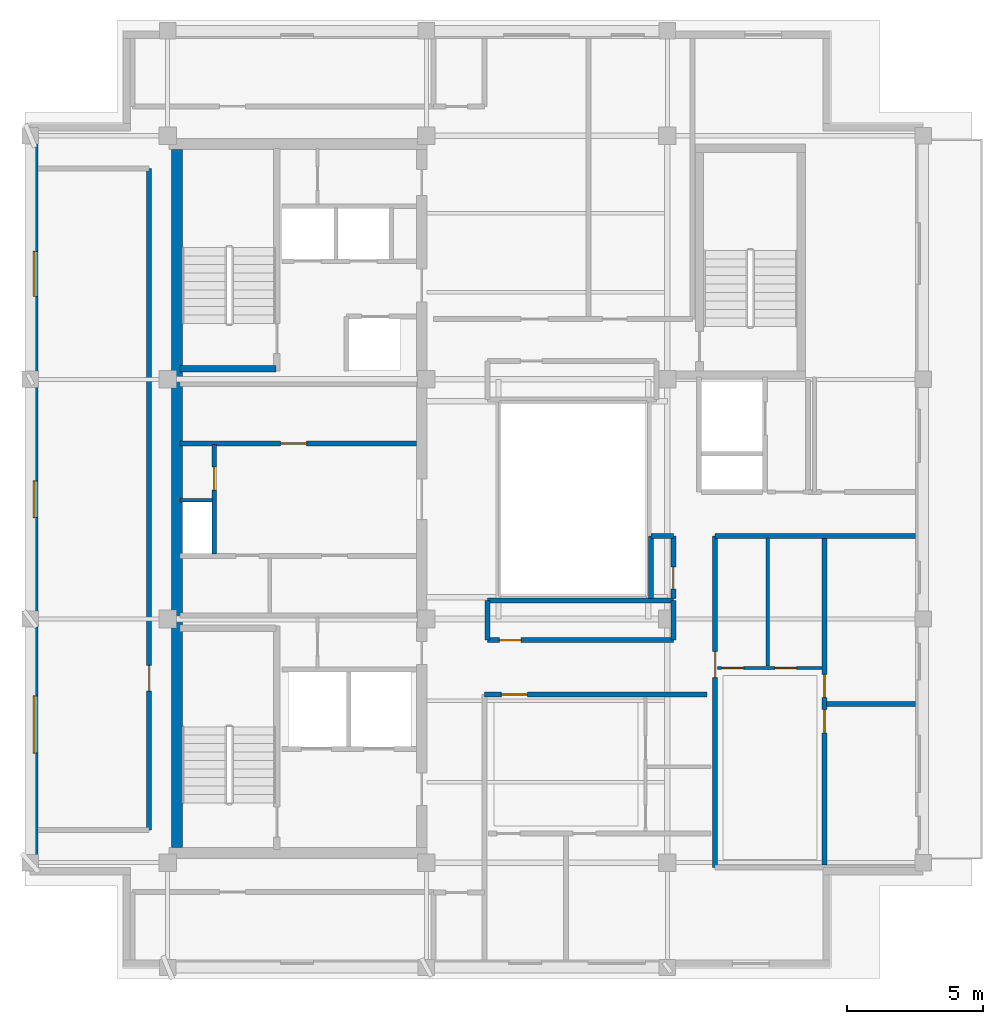
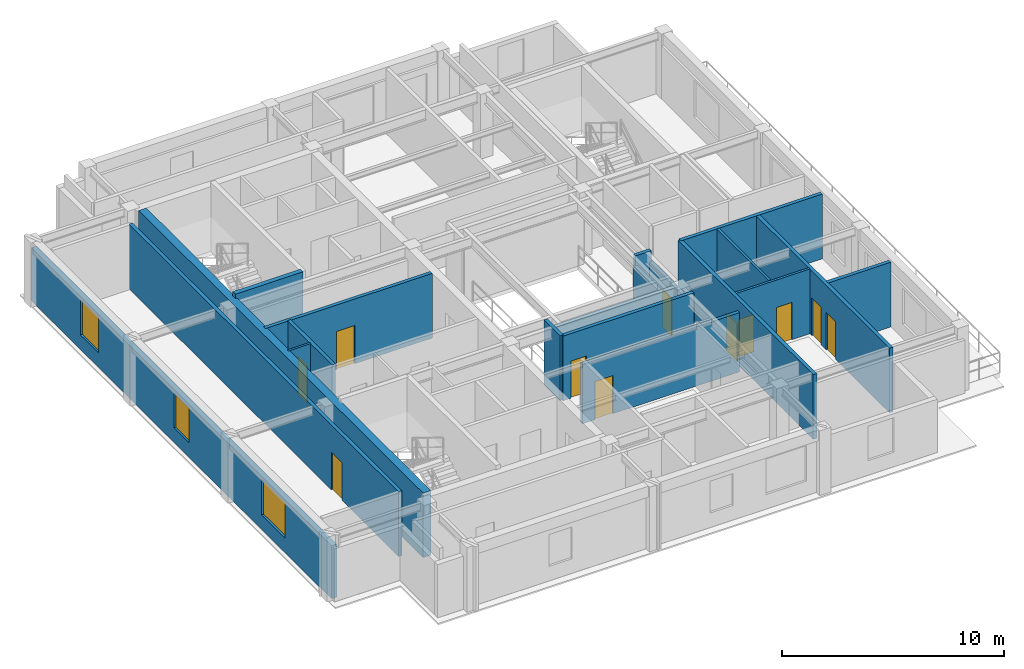
# One storey, part 3 of 9: 21 walls, 11 doors, 3 windows, 14 openings.
"""IFC4 building model written with IfcOpenShell, lengths in metres."""

from ifc_helpers import new_model, si_unit, direction, frame, frame_2d, origin, place, context, subcontext, project, spatial, rectangle, extrude, material, layer, layer_set, type_object, element, fill, save


model = new_model("IFC4")

# Units and contexts
model_context = context("Model", 3, precision=1e-05, world=origin(), true_north=direction((0.0, 1.0)))
body_context = subcontext(model_context, "Body", "Model", "MODEL_VIEW")
ifc_project = project(units=[si_unit("LENGTHUNIT", "METRE"), si_unit("AREAUNIT", "SQUARE_METRE"), si_unit("VOLUMEUNIT", "CUBIC_METRE"), si_unit("PLANEANGLEUNIT", "RADIAN"), si_unit("MASSUNIT", "GRAM", prefix="KILO")], contexts=[model_context])

# Site, building, storey
site_placement = place(None, origin())
site = spatial("IfcSite", under=ifc_project, at=site_placement, CompositionType="ELEMENT")
building_placement = place(site_placement, origin())
building = spatial("IfcBuilding", under=site, at=building_placement, Name="Kundavana Baori Tower", CompositionType="ELEMENT")
storey_placement = place(building_placement, frame((0.0, 0.0, 335.300048828125)))
storey = spatial("IfcBuildingStorey", under=building, at=storey_placement, Name="L83", CompositionType="ELEMENT", Elevation=335.300048828125)

# Walls
ifc_material_1 = material(Name="Concrete C50/60", Category="concrete")
ifc_layer_1 = layer(ifc_material_1, 0.39990234375, Name="WL-CORE-400")
ifc_layer_set_1 = layer_set([ifc_layer_1], Name="Concrete C50/60")
wall_type_1 = type_object("IfcWallType", Name="WL-CORE-400", PredefinedType="SHEAR", material=ifc_layer_set_1)
wall_1_placement = place(storey_placement, frame((15.7900390625, 15.81005859375, 0.0), z_axis=(0.0, 0.0, 1.0), x_axis=(0.0, 1.0, 0.0)))
element("IfcWall", 1, at=wall_1_placement, inside=storey, type_object=wall_type_1, Name="L83 Offset Core West Shear Wall", PredefinedType="SHEAR", context=body_context, shape_type="SweptSolid", body=[
    extrude(rectangle(XDim=25.6298828125, YDim=0.39990234375, at=frame_2d((12.81494140625, 0.0))), origin(), (0.0, 0.0, 1.0), 3.56005859375),
])
wall_2_placement = place(storey_placement, frame((15.89990234375, 33.389892578125, 0.0), z_axis=(0.0, 0.0, 1.0), x_axis=(1.0, 0.0, 0.0)))
element("IfcWall", 2, at=wall_2_placement, inside=storey, type_object=wall_type_1, Name="WL-L83-ST2-S", PredefinedType="SHEAR", context=body_context, shape_type="SweptSolid", body=[
    extrude(rectangle(XDim=3.52001953125, YDim=0.239990234375, at=frame_2d((1.760009765625, 0.0))), origin(), (0.0, 0.0, 1.0), 3.800048828125),
])

# Wall, openings, windows
ifc_material_2 = material(Name="Red-Buff Dholpur Sandstone Cladding on Concrete C40/50", Category="masonry")
ifc_layer_2 = layer(ifc_material_2, 0.280029296875, Name="WL-EXT-SAND-280")
ifc_layer_set_2 = layer_set([ifc_layer_2], Name="Red-Buff Dholpur Sandstone Cladding on Concrete C40/50")
wall_type_2 = type_object("IfcWallType", Name="WL-EXT-SAND-280", PredefinedType="STANDARD", material=ifc_layer_set_2)
wall_3_placement = place(storey_placement, frame((10.5400390625, 42.1201171875, 0.0), z_axis=(0.0, 0.0, 1.0), x_axis=(0.0, -1.0, 0.0)))
wall_3 = element("IfcWall", 3, at=wall_3_placement, inside=storey, type_object=wall_type_2, Name="L83 Exterior Insulated Facade Wall 10", PredefinedType="STANDARD", context=body_context, shape_type="SweptSolid", body=[
    extrude(rectangle(XDim=27.0400390625, YDim=0.280029296875, at=frame_2d((13.52001953125, 0.0))), origin(), (0.0, 0.0, 1.0), 2.919921875),
])
opening_1_placement = place(wall_3_placement, frame((20.7451171875, 0.0, 0.800048828125)))
opening_1 = element("IfcOpeningElement", 4, at=opening_1_placement, cuts=wall_3, Name="Opening W-05", PredefinedType="OPENING", context=body_context, shape_type="SweptSolid", body=[
    extrude(rectangle(XDim=2.10009765625, YDim=1.949951171875, at=frame_2d((1.050048828125, 0.97509765625))), frame((0.0, 0.14990234375, 0.0), z_axis=(0.0, -1.0, 0.0), x_axis=(1.0, 0.0, 0.0)), (0.0, 0.0, 1.0), 0.300048828125),
])
opening_2_placement = place(wall_3_placement, frame((12.844970703125, 0.0, 0.800048828125)))
opening_2 = element("IfcOpeningElement", 5, at=opening_2_placement, cuts=wall_3, Name="Opening W-07", PredefinedType="OPENING", context=body_context, shape_type="SweptSolid", body=[
    extrude(rectangle(XDim=1.35009765625, YDim=1.89990234375, at=frame_2d((0.675048828125, 0.949951171875))), frame((0.0, 0.14990234375, 0.0), z_axis=(0.0, -1.0, 0.0), x_axis=(1.0, 0.0, 0.0)), (0.0, 0.0, 1.0), 0.300048828125),
])
opening_3_placement = place(wall_3_placement, frame((4.419921875, 0.0, 0.800048828125)))
opening_3 = element("IfcOpeningElement", 6, at=opening_3_placement, cuts=wall_3, Name="Opening W-08", PredefinedType="OPENING", context=body_context, shape_type="SweptSolid", body=[
    extrude(rectangle(XDim=1.64990234375, YDim=1.949951171875, at=frame_2d((0.824951171875, 0.97509765625))), frame((0.0, 0.14990234375, 0.0), z_axis=(0.0, -1.0, 0.0), x_axis=(1.0, 0.0, 0.0)), (0.0, 0.0, 1.0), 0.300048828125),
])
ifc_material_3 = material(Name="Double-Glazed Solar-Control Low-E Insulated Glass", Category="glass")
window_type_1 = type_object("IfcWindowType", Name="WIN-LOG-1350x1900", PartitioningType="SINGLE_PANEL", PredefinedType="WINDOW", material=ifc_material_3)
window_1_placement = place(opening_2_placement, origin())
window_1 = element("IfcWindow", 7, at=window_1_placement, inside=storey, type_object=window_type_1, Name="L83 Recessed Loggia Window W-2", OverallHeight=1.89990234375, OverallWidth=1.35009765625, PartitioningType="SINGLE_PANEL", PredefinedType="WINDOW", context=body_context, shape_type="SweptSolid", body=[
    extrude(rectangle(XDim=1.35009765625, YDim=1.89990234375, at=frame_2d((0.675048828125, 0.949951171875))), frame((0.0, 0.030029296875, 0.0), z_axis=(0.0, -1.0, 0.0), x_axis=(1.0, 0.0, 0.0)), (0.0, 0.0, 1.0), 0.06005859375),
])
fill(opening_2, window_1)
ifc_material_4 = material(Name="Double-Glazed Solar-Control Low-E Insulated Glass", Category="glass")
window_type_2 = type_object("IfcWindowType", Name="WIN-LOG-1650x1950", PartitioningType="SINGLE_PANEL", PredefinedType="WINDOW", material=ifc_material_4)
window_2_placement = place(opening_3_placement, origin())
window_2 = element("IfcWindow", 8, at=window_2_placement, inside=storey, type_object=window_type_2, Name="L83 Recessed Loggia Window W-3", OverallHeight=1.949951171875, OverallWidth=1.64990234375, PartitioningType="SINGLE_PANEL", PredefinedType="WINDOW", context=body_context, shape_type="SweptSolid", body=[
    extrude(rectangle(XDim=1.64990234375, YDim=1.949951171875, at=frame_2d((0.824951171875, 0.97509765625))), frame((0.0, 0.030029296875, 0.0), z_axis=(0.0, -1.0, 0.0), x_axis=(1.0, 0.0, 0.0)), (0.0, 0.0, 1.0), 0.06005859375),
])
fill(opening_3, window_2)
ifc_material_5 = material(Name="Double-Glazed Solar-Control Low-E Insulated Glass", Category="glass")
window_type_3 = type_object("IfcWindowType", Name="WIN-LOG-2100x1950", PartitioningType="SINGLE_PANEL", PredefinedType="WINDOW", material=ifc_material_5)
window_3_placement = place(opening_1_placement, origin())
window_3 = element("IfcWindow", 9, at=window_3_placement, inside=storey, type_object=window_type_3, Name="L83 Recessed Loggia Window W-1", OverallHeight=1.949951171875, OverallWidth=2.10009765625, PartitioningType="SINGLE_PANEL", PredefinedType="WINDOW", context=body_context, shape_type="SweptSolid", body=[
    extrude(rectangle(XDim=2.10009765625, YDim=1.949951171875, at=frame_2d((1.050048828125, 0.97509765625))), frame((0.0, 0.030029296875, 0.0), z_axis=(0.0, -1.0, 0.0), x_axis=(1.0, 0.0, 0.0)), (0.0, 0.0, 1.0), 0.06005859375),
])
fill(opening_1, window_3)

# Wall
ifc_material_6 = material(Name="Acoustic Gypsum Plasterboard on Galvanised Steel Studs", Category="steel")
ifc_layer_3 = layer(ifc_material_6, 0.1201171875, Name="WL-PART-120")
ifc_layer_set_3 = layer_set([ifc_layer_3], Name="Acoustic Gypsum Plasterboard on Galvanised Steel Studs")
wall_type_3 = type_object("IfcWallType", Name="WL-PART-120", PredefinedType="PARTITIONING", material=ifc_layer_set_3)
wall_4_placement = place(storey_placement, frame((15.89990234375, 28.56005859375, 0.0), z_axis=(0.0, 0.0, 1.0), x_axis=(1.0, 0.0, 0.0)))
element("IfcWall", 10, at=wall_4_placement, inside=storey, type_object=wall_type_3, Name="WL-L83-RSRW-N", PredefinedType="PARTITIONING", context=body_context, shape_type="SweptSolid", body=[
    extrude(rectangle(XDim=1.2001953125, YDim=0.1201171875, at=frame_2d((0.60009765625, 0.0))), origin(), (0.0, 0.0, 1.0), 3.56005859375),
])

# Wall, opening, door
ifc_material_7 = material(Name="Autoclaved Aerated Concrete Blockwork Masonry", Category="masonry")
ifc_layer_4 = layer(ifc_material_7, 0.18505859375, Name="WL-PART-180")
ifc_layer_set_4 = layer_set([ifc_layer_4], Name="Autoclaved Aerated Concrete Blockwork Masonry")
wall_type_4 = type_object("IfcWallType", Name="WL-PART-180", PredefinedType="SOLIDWALL", material=ifc_layer_set_4)
wall_5_placement = place(storey_placement, frame((27.080078125, 21.419921875, 0.0), z_axis=(0.0, 0.0, 1.0), x_axis=(1.0, 0.0, 0.0)))
wall_5 = element("IfcWall", 11, at=wall_5_placement, inside=storey, type_object=wall_type_4, Name="WL-L83-RS", PredefinedType="SOLIDWALL", context=body_context, shape_type="SweptSolid", body=[
    extrude(rectangle(XDim=8.169921875, YDim=0.18505859375, at=frame_2d((4.0849609375, 0.0))), origin(), (0.0, 0.0, 1.0), 3.260009765625),
])
opening_4_placement = place(wall_5_placement, frame((0.6298828125, 0.0, 0.0)))
opening_4 = element("IfcOpeningElement", 12, at=opening_4_placement, cuts=wall_5, Name="Opening FD-095", PredefinedType="OPENING", context=body_context, shape_type="SweptSolid", body=[
    extrude(rectangle(XDim=0.949951171875, YDim=2.10009765625, at=frame_2d((0.47509765625, 1.050048828125))), frame((0.0, 0.1025390625, 0.0), z_axis=(0.0, -1.0, 0.0), x_axis=(1.0, 0.0, 0.0)), (0.0, 0.0, 1.0), 0.205078125),
])
ifc_material_8 = material(Name="Engineered Teak Fire-Rated Timber Door Leaf", Category="wood")
door_type_1 = type_object("IfcDoorType", Name="DR-FD60-950", OperationType="NOTDEFINED", PredefinedType="DOOR", material=ifc_material_8)
door_1_placement = place(opening_4_placement, frame((0.949951171875, 0.0, 0.0), z_axis=(0.0, 0.0, 1.0), x_axis=(-1.0, 0.0, 0.0)))
door_1 = element("IfcDoor", 13, at=door_1_placement, inside=storey, type_object=door_type_1, Name="DR-L83-S1-ENT", OperationType="SINGLE_SWING_RIGHT", OverallHeight=2.10009765625, OverallWidth=0.949951171875, PredefinedType="DOOR", context=body_context, shape_type="SweptSolid", body=[
    extrude(rectangle(XDim=0.949951171875, YDim=2.10009765625, at=frame_2d((0.47509765625, 1.050048828125))), frame((0.0, 0.02490234375, 0.0), z_axis=(0.0, -1.0, 0.0), x_axis=(1.0, 0.0, 0.0)), (0.0, 0.0, 1.0), 0.050048828125),
])
fill(opening_4, door_1)

wall_6_placement = place(storey_placement, frame((14.77001953125, 16.449951171875, 0.0), z_axis=(0.0, 0.0, 1.0), x_axis=(0.0, 1.0, 0.0)))
wall_6 = element("IfcWall", 14, at=wall_6_placement, inside=storey, type_object=wall_type_4, Name="WL-L83-RW", PredefinedType="SOLIDWALL", context=body_context, shape_type="SweptSolid", body=[
    extrude(rectangle(XDim=24.300048828125, YDim=0.18505859375, at=frame_2d((12.14990234375, 0.0))), origin(), (0.0, 0.0, 1.0), 3.56005859375),
])
opening_5_placement = place(wall_6_placement, frame((5.10009765625, 0.0, 0.0)))
opening_5 = element("IfcOpeningElement", 15, at=opening_5_placement, cuts=wall_6, Name="Opening ID-095", PredefinedType="OPENING", context=body_context, shape_type="SweptSolid", body=[
    extrude(rectangle(XDim=0.949951171875, YDim=2.080078125, at=frame_2d((0.47509765625, 1.0400390625))), frame((0.0, 0.1025390625, 0.0), z_axis=(0.0, -1.0, 0.0), x_axis=(1.0, 0.0, 0.0)), (0.0, 0.0, 1.0), 0.205078125),
])
ifc_material_9 = material(Name="Engineered Teak Solid-Core Timber Veneer", Category="wood")
door_type_2 = type_object("IfcDoorType", Name="DR-INT-950", OperationType="NOTDEFINED", PredefinedType="DOOR", material=ifc_material_9)
door_2_placement = place(opening_5_placement, origin())
door_2 = element("IfcDoor", 16, at=door_2_placement, inside=storey, type_object=door_type_2, Name="DR-L83-RLNGW", OperationType="SINGLE_SWING_LEFT", OverallHeight=2.080078125, OverallWidth=0.949951171875, PredefinedType="DOOR", context=body_context, shape_type="SweptSolid", body=[
    extrude(rectangle(XDim=0.949951171875, YDim=2.080078125, at=frame_2d((0.47509765625, 1.0400390625))), frame((0.0, 0.02490234375, 0.0), z_axis=(0.0, -1.0, 0.0), x_axis=(1.0, 0.0, 0.0)), (0.0, 0.0, 1.0), 0.050048828125),
])
fill(opening_5, door_2)

wall_7_placement = place(storey_placement, frame((35.56005859375, 15.080078125, 0.0), z_axis=(0.0, 0.0, 1.0), x_axis=(0.0, 1.0, 0.0)))
wall_7 = element("IfcWall", 17, at=wall_7_placement, inside=storey, type_object=wall_type_4, Name="WL-L83-CSE", PredefinedType="SOLIDWALL", context=body_context, shape_type="SweptSolid", body=[
    extrude(rectangle(XDim=12.169921875, YDim=0.18505859375, at=frame_2d((6.0849609375, 0.0))), origin(), (0.0, 0.0, 1.0), 3.56005859375),
])
opening_6_placement = place(wall_7_placement, frame((6.969970703125, 0.0, 0.0)))
opening_6 = element("IfcOpeningElement", 18, at=opening_6_placement, cuts=wall_7, Name="Opening FD-095", PredefinedType="OPENING", context=body_context, shape_type="SweptSolid", body=[
    extrude(rectangle(XDim=0.949951171875, YDim=2.10009765625, at=frame_2d((0.47509765625, 1.050048828125))), frame((0.0, 0.1025390625, 0.0), z_axis=(0.0, -1.0, 0.0), x_axis=(1.0, 0.0, 0.0)), (0.0, 0.0, 1.0), 0.205078125),
])
door_3_placement = place(opening_6_placement, origin())
door_3 = element("IfcDoor", 19, at=door_3_placement, inside=storey, type_object=door_type_1, Name="DR-L83-SE1-ENT", OperationType="SINGLE_SWING_LEFT", OverallHeight=2.10009765625, OverallWidth=0.949951171875, PredefinedType="DOOR", context=body_context, shape_type="SweptSolid", body=[
    extrude(rectangle(XDim=0.949951171875, YDim=2.10009765625, at=frame_2d((0.47509765625, 1.050048828125))), frame((0.0, 0.02490234375, 0.0), z_axis=(0.0, -1.0, 0.0), x_axis=(1.0, 0.0, 0.0)), (0.0, 0.0, 1.0), 0.050048828125),
])
fill(opening_6, door_3)

# Wall
wall_8_placement = place(storey_placement, frame((35.56005859375, 27.25, 0.0), z_axis=(0.0, 0.0, 1.0), x_axis=(1.0, 0.0, 0.0)))
element("IfcWall", 20, at=wall_8_placement, inside=storey, type_object=wall_type_4, Name="WL-L83-CSEN", PredefinedType="SOLIDWALL", context=body_context, shape_type="SweptSolid", body=[
    extrude(rectangle(XDim=7.35986328125, YDim=0.18505859375, at=frame_2d((3.679931640625, 0.0))), origin(), (0.0, 0.0, 1.0), 3.56005859375),
])

# Wall, openings, doors
wall_9_placement = place(storey_placement, frame((39.571044921875, 15.159912109375, 0.0), z_axis=(0.0, 0.0, 1.0), x_axis=(0.0, 1.0, 0.0)))
wall_9 = element("IfcWall", 21, at=wall_9_placement, inside=storey, type_object=wall_type_4, Name="WL-L83-SE1-VT", PredefinedType="SOLIDWALL", context=body_context, shape_type="SweptSolid", body=[
    extrude(rectangle(XDim=12.010009765625, YDim=0.18505859375, at=frame_2d((6.0048828125, 0.0))), origin(), (0.0, 0.0, 1.0), 3.56005859375),
])
opening_7_placement = place(wall_9_placement, frame((4.860107421875, 0.0, 0.0)))
opening_7 = element("IfcOpeningElement", 22, at=opening_7_placement, cuts=wall_9, Name="Opening ID-085", PredefinedType="OPENING", context=body_context, shape_type="SweptSolid", body=[
    extrude(rectangle(XDim=0.85009765625, YDim=2.080078125, at=frame_2d((0.425048828125, 1.0400390625))), frame((0.0, 0.1025390625, 0.0), z_axis=(0.0, -1.0, 0.0), x_axis=(1.0, 0.0, 0.0)), (0.0, 0.0, 1.0), 0.205078125),
])
opening_8_placement = place(wall_9_placement, frame((6.159912109375, 0.0, 0.0)))
opening_8 = element("IfcOpeningElement", 23, at=opening_8_placement, cuts=wall_9, Name="Opening ID-085", PredefinedType="OPENING", context=body_context, shape_type="SweptSolid", body=[
    extrude(rectangle(XDim=0.85009765625, YDim=2.080078125, at=frame_2d((0.425048828125, 1.0400390625))), frame((0.0, 0.1025390625, 0.0), z_axis=(0.0, -1.0, 0.0), x_axis=(1.0, 0.0, 0.0)), (0.0, 0.0, 1.0), 0.205078125),
])
ifc_material_10 = material(Name="Engineered Teak Solid-Core Timber Veneer", Category="wood")
door_type_3 = type_object("IfcDoorType", Name="DR-INT-850", OperationType="NOTDEFINED", PredefinedType="DOOR", material=ifc_material_10)
door_4_placement = place(opening_7_placement, origin())
door_4 = element("IfcDoor", 24, at=door_4_placement, inside=storey, type_object=door_type_3, Name="DR-L83-SE1-B1", OperationType="SINGLE_SWING_LEFT", OverallHeight=2.080078125, OverallWidth=0.85009765625, PredefinedType="DOOR", context=body_context, shape_type="SweptSolid", body=[
    extrude(rectangle(XDim=0.85009765625, YDim=2.080078125, at=frame_2d((0.425048828125, 1.0400390625))), frame((0.0, 0.02490234375, 0.0), z_axis=(0.0, -1.0, 0.0), x_axis=(1.0, 0.0, 0.0)), (0.0, 0.0, 1.0), 0.050048828125),
])
fill(opening_7, door_4)
door_5_placement = place(opening_8_placement, origin())
door_5 = element("IfcDoor", 25, at=door_5_placement, inside=storey, type_object=door_type_3, Name="DR-L83-SE1-B2", OperationType="SINGLE_SWING_RIGHT", OverallHeight=2.080078125, OverallWidth=0.85009765625, PredefinedType="DOOR", context=body_context, shape_type="SweptSolid", body=[
    extrude(rectangle(XDim=0.85009765625, YDim=2.080078125, at=frame_2d((0.425048828125, 1.0400390625))), frame((0.0, 0.02490234375, 0.0), z_axis=(0.0, -1.0, 0.0), x_axis=(1.0, 0.0, 0.0)), (0.0, 0.0, 1.0), 0.050048828125),
])
fill(opening_8, door_5)

# Wall
wall_10_placement = place(storey_placement, frame((39.65087890625, 21.070068359375, 0.0), z_axis=(0.0, 0.0, 1.0), x_axis=(1.0, 0.0, 0.0)))
element("IfcWall", 26, at=wall_10_placement, inside=storey, type_object=wall_type_4, Name="WL-L83-SE1-BDH", PredefinedType="SOLIDWALL", context=body_context, shape_type="SweptSolid", body=[
    extrude(rectangle(XDim=3.26904296875, YDim=0.18505859375, at=frame_2d((1.634521484375, 0.0))), origin(), (0.0, 0.0, 1.0), 3.56005859375),
])

# Wall, opening, door
wall_11_placement = place(storey_placement, frame((27.199951171875, 23.419921875, 0.0), z_axis=(0.0, 0.0, 1.0), x_axis=(1.0, 0.0, 0.0)))
wall_11 = element("IfcWall", 27, at=wall_11_placement, inside=storey, type_object=wall_type_4, Name="WL-L83-ALS", PredefinedType="SOLIDWALL", context=body_context, shape_type="SweptSolid", body=[
    extrude(rectangle(XDim=6.820068359375, YDim=0.18505859375, at=frame_2d((3.41015625, 0.0))), origin(), (0.0, 0.0, 1.0), 3.56005859375),
])
opening_9_placement = place(wall_11_placement, frame((0.429931640625, 0.0, 0.0)))
opening_9 = element("IfcOpeningElement", 28, at=opening_9_placement, cuts=wall_11, Name="Opening WD-080", PredefinedType="OPENING", context=body_context, shape_type="SweptSolid", body=[
    extrude(rectangle(XDim=0.800048828125, YDim=2.050048828125, at=frame_2d((0.39990234375, 1.02490234375))), frame((0.0, 0.1025390625, 0.0), z_axis=(0.0, -1.0, 0.0), x_axis=(1.0, 0.0, 0.0)), (0.0, 0.0, 1.0), 0.205078125),
])
ifc_material_11 = material(Name="Engineered Teak Solid-Core Timber Veneer", Category="wood")
door_type_4 = type_object("IfcDoorType", Name="DR-WET-800", OperationType="NOTDEFINED", PredefinedType="DOOR", material=ifc_material_11)
door_6_placement = place(opening_9_placement, origin())
door_6 = element("IfcDoor", 29, at=door_6_placement, inside=storey, type_object=door_type_4, Name="DR-L83-RALC1", OperationType="SINGLE_SWING_LEFT", OverallHeight=2.050048828125, OverallWidth=0.800048828125, PredefinedType="DOOR", context=body_context, shape_type="SweptSolid", body=[
    extrude(rectangle(XDim=0.800048828125, YDim=2.050048828125, at=frame_2d((0.39990234375, 1.02490234375))), frame((0.0, 0.02490234375, 0.0), z_axis=(0.0, -1.0, 0.0), x_axis=(1.0, 0.0, 0.0)), (0.0, 0.0, 1.0), 0.050048828125),
])
fill(opening_9, door_6)

# Walls
wall_12_placement = place(storey_placement, frame((27.199951171875, 24.8798828125, 0.0), z_axis=(0.0, 0.0, 1.0), x_axis=(1.0, 0.0, 0.0)))
element("IfcWall", 30, at=wall_12_placement, inside=storey, type_object=wall_type_4, Name="WL-L83-ALN", PredefinedType="SOLIDWALL", context=body_context, shape_type="SweptSolid", body=[
    extrude(rectangle(XDim=6.820068359375, YDim=0.18505859375, at=frame_2d((3.41015625, 0.0))), origin(), (0.0, 0.0, 1.0), 3.010009765625),
])
wall_13_placement = place(storey_placement, frame((27.199951171875, 23.419921875, 0.0), z_axis=(0.0, 0.0, 1.0), x_axis=(0.0, 1.0, 0.0)))
element("IfcWall", 31, at=wall_13_placement, inside=storey, type_object=wall_type_4, Name="WL-L83-ALW", PredefinedType="SOLIDWALL", context=body_context, shape_type="SweptSolid", body=[
    extrude(rectangle(XDim=1.4599609375, YDim=0.18505859375, at=frame_2d((0.72998046875, 0.0))), origin(), (0.0, 0.0, 1.0), 3.56005859375),
])
wall_14_placement = place(storey_placement, frame((34.02001953125, 23.419921875, 0.0), z_axis=(0.0, 0.0, 1.0), x_axis=(0.0, 1.0, 0.0)))
element("IfcWall", 32, at=wall_14_placement, inside=storey, type_object=wall_type_4, Name="WL-L83-ALE", PredefinedType="SOLIDWALL", context=body_context, shape_type="SweptSolid", body=[
    extrude(rectangle(XDim=1.4599609375, YDim=0.18505859375, at=frame_2d((0.72998046875, 0.0))), origin(), (0.0, 0.0, 1.0), 2.9599609375),
])
wall_15_placement = place(storey_placement, frame((33.199951171875, 24.9599609375, 0.0), z_axis=(0.0, 0.0, 1.0), x_axis=(0.0, 1.0, 0.0)))
element("IfcWall", 33, at=wall_15_placement, inside=storey, type_object=wall_type_4, Name="WL-L83-CEAW", PredefinedType="SOLIDWALL", context=body_context, shape_type="SweptSolid", body=[
    extrude(rectangle(XDim=2.2900390625, YDim=0.18505859375, at=frame_2d((1.14501953125, 0.0))), origin(), (0.0, 0.0, 1.0), 3.010009765625),
])

# Wall, opening, door
wall_16_placement = place(storey_placement, frame((34.02001953125, 24.9599609375, 0.0), z_axis=(0.0, 0.0, 1.0), x_axis=(0.0, 1.0, 0.0)))
wall_16 = element("IfcWall", 34, at=wall_16_placement, inside=storey, type_object=wall_type_4, Name="WL-L83-CEAE", PredefinedType="SOLIDWALL", context=body_context, shape_type="SweptSolid", body=[
    extrude(rectangle(XDim=2.2900390625, YDim=0.18505859375, at=frame_2d((1.14501953125, 0.0))), origin(), (0.0, 0.0, 1.0), 2.9599609375),
])
opening_10_placement = place(wall_16_placement, frame((0.35009765625, 0.0, 0.0)))
opening_10 = element("IfcOpeningElement", 35, at=opening_10_placement, cuts=wall_16, Name="Opening WD-080", PredefinedType="OPENING", context=body_context, shape_type="SweptSolid", body=[
    extrude(rectangle(XDim=0.800048828125, YDim=2.050048828125, at=frame_2d((0.39990234375, 1.02490234375))), frame((0.0, 0.1025390625, 0.0), z_axis=(0.0, -1.0, 0.0), x_axis=(1.0, 0.0, 0.0)), (0.0, 0.0, 1.0), 0.205078125),
])
door_7_placement = place(opening_10_placement, origin())
door_7 = element("IfcDoor", 36, at=door_7_placement, inside=storey, type_object=door_type_4, Name="DR-L83-CSTE", OperationType="SINGLE_SWING_LEFT", OverallHeight=2.050048828125, OverallWidth=0.800048828125, PredefinedType="DOOR", context=body_context, shape_type="SweptSolid", body=[
    extrude(rectangle(XDim=0.800048828125, YDim=2.050048828125, at=frame_2d((0.39990234375, 1.02490234375))), frame((0.0, 0.02490234375, 0.0), z_axis=(0.0, -1.0, 0.0), x_axis=(1.0, 0.0, 0.0)), (0.0, 0.0, 1.0), 0.050048828125),
])
fill(opening_10, door_7)

# Wall
wall_17_placement = place(storey_placement, frame((33.199951171875, 27.25, 0.0), z_axis=(0.0, 0.0, 1.0), x_axis=(1.0, 0.0, 0.0)))
element("IfcWall", 37, at=wall_17_placement, inside=storey, type_object=wall_type_4, Name="WL-L83-CEAN", PredefinedType="SOLIDWALL", context=body_context, shape_type="SweptSolid", body=[
    extrude(rectangle(XDim=0.820068359375, YDim=0.18505859375, at=frame_2d((0.41015625, 0.0))), origin(), (0.0, 0.0, 1.0), 3.56005859375),
])

# Wall, opening, door
ifc_material_12 = material(Name="Autoclaved Aerated Concrete Blockwork Masonry", Category="masonry")
ifc_layer_5 = layer(ifc_material_12, 0.179931640625, Name="WL-SHAFT-180")
ifc_layer_set_5 = layer_set([ifc_layer_5], Name="Autoclaved Aerated Concrete Blockwork Masonry")
wall_type_5 = type_object("IfcWallType", Name="WL-SHAFT-180", PredefinedType="SOLIDWALL", material=ifc_layer_set_5)
wall_18_placement = place(storey_placement, frame((17.159912109375, 26.580078125, 0.0), z_axis=(0.0, 0.0, 1.0), x_axis=(0.0, 1.0, 0.0)))
wall_18 = element("IfcWall", 38, at=wall_18_placement, inside=storey, type_object=wall_type_5, Name="WL-L83-RSRW-E", PredefinedType="SOLIDWALL", context=body_context, shape_type="SweptSolid", body=[
    extrude(rectangle(XDim=4.02001953125, YDim=0.179931640625, at=frame_2d((2.010009765625, 0.0))), origin(), (0.0, 0.0, 1.0), 3.56005859375),
])
opening_11_placement = place(wall_18_placement, frame((2.35009765625, 0.0, 0.0)))
opening_11 = element("IfcOpeningElement", 39, at=opening_11_placement, cuts=wall_18, Name="Opening FD-085", PredefinedType="OPENING", context=body_context, shape_type="SweptSolid", body=[
    extrude(rectangle(XDim=0.85009765625, YDim=2.06005859375, at=frame_2d((0.425048828125, 1.030029296875))), frame((0.0, 0.10009765625, 0.0), z_axis=(0.0, -1.0, 0.0), x_axis=(1.0, 0.0, 0.0)), (0.0, 0.0, 1.0), 0.199951171875),
])
ifc_material_13 = material(Name="Galvanised Steel Fire-Rated Door Leaf", Category="steel")
door_type_5 = type_object("IfcDoorType", Name="DR-FD60-850", OperationType="NOTDEFINED", PredefinedType="DOOR", material=ifc_material_13)
door_8_placement = place(opening_11_placement, origin())
door_8 = element("IfcDoor", 40, at=door_8_placement, inside=storey, type_object=door_type_5, Name="DR-L83-CLN", OperationType="SINGLE_SWING_RIGHT", OverallHeight=2.06005859375, OverallWidth=0.85009765625, PredefinedType="DOOR", context=body_context, shape_type="SweptSolid", body=[
    extrude(rectangle(XDim=0.85009765625, YDim=2.06005859375, at=frame_2d((0.425048828125, 1.030029296875))), frame((0.0, 0.02490234375, 0.0), z_axis=(0.0, -1.0, 0.0), x_axis=(1.0, 0.0, 0.0)), (0.0, 0.0, 1.0), 0.050048828125),
])
fill(opening_11, door_8)

wall_19_placement = place(storey_placement, frame((15.89990234375, 30.639892578125, 0.0), z_axis=(0.0, 0.0, 1.0), x_axis=(1.0, 0.0, 0.0)))
wall_19 = element("IfcWall", 41, at=wall_19_placement, inside=storey, type_object=wall_type_5, Name="WL-L83-LPMID-S", PredefinedType="SOLIDWALL", context=body_context, shape_type="SweptSolid", body=[
    extrude(rectangle(XDim=8.68017578125, YDim=0.179931640625, at=frame_2d((4.340087890625, 0.0))), origin(), (0.0, 0.0, 1.0), 3.56005859375),
])
opening_12_placement = place(wall_19_placement, frame((3.699951171875, 0.0, 0.0)))
opening_12 = element("IfcOpeningElement", 42, at=opening_12_placement, cuts=wall_19, Name="Opening FD-095", PredefinedType="OPENING", context=body_context, shape_type="SweptSolid", body=[
    extrude(rectangle(XDim=0.949951171875, YDim=2.10009765625, at=frame_2d((0.47509765625, 1.050048828125))), frame((0.0, 0.10009765625, 0.0), z_axis=(0.0, -1.0, 0.0), x_axis=(1.0, 0.0, 0.0)), (0.0, 0.0, 1.0), 0.199951171875),
])
door_9_placement = place(opening_12_placement, frame((0.949951171875, 0.0, 0.0), z_axis=(0.0, 0.0, 1.0), x_axis=(-1.0, 0.0, 0.0)))
door_9 = element("IfcDoor", 43, at=door_9_placement, inside=storey, type_object=door_type_1, Name="DR-L83-FRMID1", OperationType="SINGLE_SWING_RIGHT", OverallHeight=2.10009765625, OverallWidth=0.949951171875, PredefinedType="DOOR", context=body_context, shape_type="SweptSolid", body=[
    extrude(rectangle(XDim=0.949951171875, YDim=2.10009765625, at=frame_2d((0.47509765625, 1.050048828125))), frame((0.0, 0.02490234375, 0.0), z_axis=(0.0, -1.0, 0.0), x_axis=(1.0, 0.0, 0.0)), (0.0, 0.0, 1.0), 0.050048828125),
])
fill(opening_12, door_9)

# Wall, openings, doors
ifc_material_14 = material(Name="Autoclaved Aerated Concrete Blockwork Masonry", Category="masonry")
ifc_layer_6 = layer(ifc_material_14, 0.125, Name="WL-WET-120")
ifc_layer_set_6 = layer_set([ifc_layer_6], Name="Autoclaved Aerated Concrete Blockwork Masonry")
wall_type_6 = type_object("IfcWallType", Name="WL-WET-120", PredefinedType="PLUMBINGWALL", material=ifc_layer_set_6)
wall_20_placement = place(storey_placement, frame((35.639892578125, 22.39990234375, 0.0), z_axis=(0.0, 0.0, 1.0), x_axis=(1.0, 0.0, 0.0)))
wall_20 = element("IfcWall", 44, at=wall_20_placement, inside=storey, type_object=wall_type_6, Name="WL-L83-SE1-KH", PredefinedType="PLUMBINGWALL", context=body_context, shape_type="SweptSolid", body=[
    extrude(rectangle(XDim=3.85107421875, YDim=0.125, at=frame_2d((1.925537109375, 0.0))), origin(), (0.0, 0.0, 1.0), 3.56005859375),
])
opening_13_placement = place(wall_20_placement, frame((0.159912109375, 0.0, 0.0)))
opening_13 = element("IfcOpeningElement", 45, at=opening_13_placement, cuts=wall_20, Name="Opening WD-080", PredefinedType="OPENING", context=body_context, shape_type="SweptSolid", body=[
    extrude(rectangle(XDim=0.800048828125, YDim=2.050048828125, at=frame_2d((0.39990234375, 1.02490234375))), frame((0.0, 0.072509765625, 0.0), z_axis=(0.0, -1.0, 0.0), x_axis=(1.0, 0.0, 0.0)), (0.0, 0.0, 1.0), 0.14501953125),
])
opening_14_placement = place(wall_20_placement, frame((2.10791015625, 0.0, 0.0)))
opening_14 = element("IfcOpeningElement", 46, at=opening_14_placement, cuts=wall_20, Name="Opening WD-080", PredefinedType="OPENING", context=body_context, shape_type="SweptSolid", body=[
    extrude(rectangle(XDim=0.800048828125, YDim=2.050048828125, at=frame_2d((0.39990234375, 1.02490234375))), frame((0.0, 0.072509765625, 0.0), z_axis=(0.0, -1.0, 0.0), x_axis=(1.0, 0.0, 0.0)), (0.0, 0.0, 1.0), 0.14501953125),
])
door_10_placement = place(opening_13_placement, origin())
door_10 = element("IfcDoor", 47, at=door_10_placement, inside=storey, type_object=door_type_4, Name="DR-L83-SE1-BT", OperationType="SINGLE_SWING_LEFT", OverallHeight=2.050048828125, OverallWidth=0.800048828125, PredefinedType="DOOR", context=body_context, shape_type="SweptSolid", body=[
    extrude(rectangle(XDim=0.800048828125, YDim=2.050048828125, at=frame_2d((0.39990234375, 1.02490234375))), frame((0.0, 0.02490234375, 0.0), z_axis=(0.0, -1.0, 0.0), x_axis=(1.0, 0.0, 0.0)), (0.0, 0.0, 1.0), 0.050048828125),
])
fill(opening_13, door_10)
door_11_placement = place(opening_14_placement, origin())
door_11 = element("IfcDoor", 48, at=door_11_placement, inside=storey, type_object=door_type_4, Name="DR-L83-SE1-KT", OperationType="SINGLE_SWING_RIGHT", OverallHeight=2.050048828125, OverallWidth=0.800048828125, PredefinedType="DOOR", context=body_context, shape_type="SweptSolid", body=[
    extrude(rectangle(XDim=0.800048828125, YDim=2.050048828125, at=frame_2d((0.39990234375, 1.02490234375))), frame((0.0, 0.02490234375, 0.0), z_axis=(0.0, -1.0, 0.0), x_axis=(1.0, 0.0, 0.0)), (0.0, 0.0, 1.0), 0.050048828125),
])
fill(opening_14, door_11)

# Wall
wall_21_placement = place(storey_placement, frame((37.488037109375, 22.47998046875, 0.0), z_axis=(0.0, 0.0, 1.0), x_axis=(0.0, 1.0, 0.0)))
element("IfcWall", 49, at=wall_21_placement, inside=storey, type_object=wall_type_6, Name="WL-L83-SE1-BV", PredefinedType="PLUMBINGWALL", context=body_context, shape_type="SweptSolid", body=[
    extrude(rectangle(XDim=4.68994140625, YDim=0.125, at=frame_2d((2.344970703125, 0.0))), origin(), (0.0, 0.0, 1.0), 3.56005859375),
])

save(model, "model.ifc")
